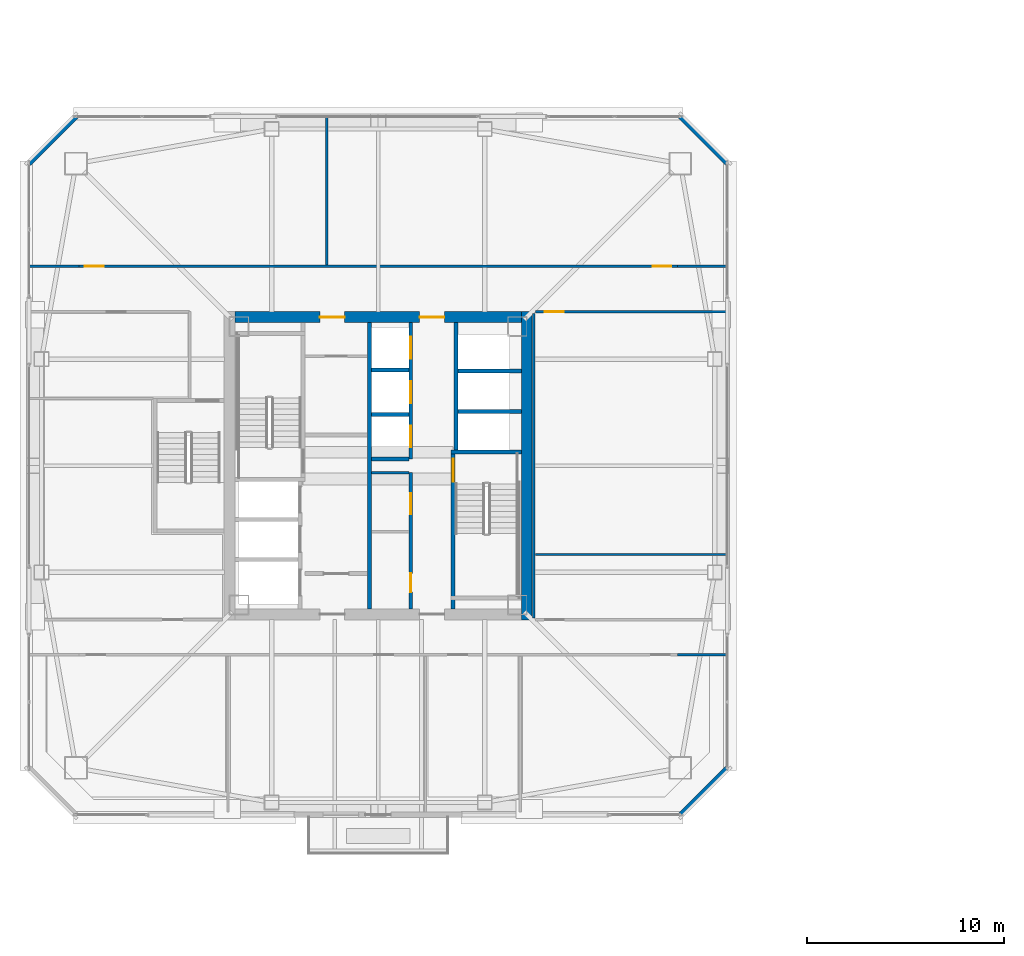
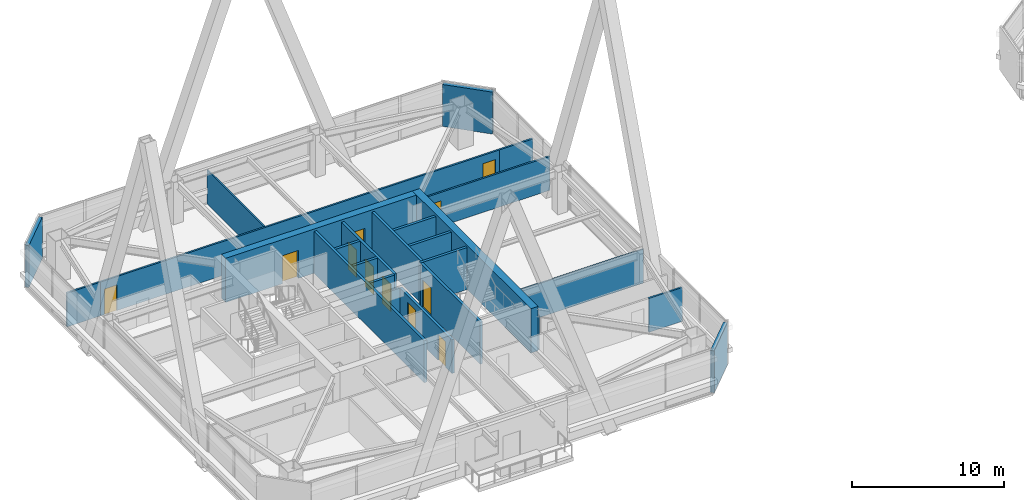
# One storey, part 46 of 55: 25 walls, 11 doors, 11 openings.
"""IFC4 building model written with IfcOpenShell, lengths in metres."""

from ifc_helpers import new_model, si_unit, direction, frame, frame_2d, origin, place, context, subcontext, project, spatial, rectangle, extrude, material, layer, layer_set, type_object, element, fill, save


model = new_model("IFC4")

# Units and contexts
model_context = context("Model", 3, precision=1e-05, world=origin(), true_north=direction((0.0, 1.0)))
body_context = subcontext(model_context, "Body", "Model", "MODEL_VIEW")
ifc_project = project(units=[si_unit("LENGTHUNIT", "METRE"), si_unit("AREAUNIT", "SQUARE_METRE"), si_unit("VOLUMEUNIT", "CUBIC_METRE"), si_unit("PLANEANGLEUNIT", "RADIAN"), si_unit("MASSUNIT", "GRAM", prefix="KILO")], contexts=[model_context])

# Site, building, storey
site_placement = place(None, origin())
site = spatial("IfcSite", under=ifc_project, at=site_placement, CompositionType="ELEMENT")
building_placement = place(site_placement, origin())
building = spatial("IfcBuilding", under=site, at=building_placement, Name="Tashvorn Skyway Center", CompositionType="ELEMENT")
storey_placement = place(building_placement, frame((0.0, 0.0, 178.300048828125)))
storey = spatial("IfcBuildingStorey", under=building, at=storey_placement, Name="L48", CompositionType="ELEMENT", Elevation=178.300048828125)

# Wall
ifc_material_1 = material(Name="Concrete C60/75", Category="concrete")
ifc_layer_1 = layer(ifc_material_1, 0.550048828125)
ifc_layer_set_1 = layer_set([ifc_layer_1], Name="Concrete C60/75")
wall_type_1 = type_object("IfcWallType", Name="WALL-CORE-550", PredefinedType="SHEAR", material=ifc_layer_set_1)
wall_1_placement = place(storey_placement, frame((49.52490234375, 39.800048828125, 0.0), z_axis=(0.0, 0.0, 1.0), x_axis=(0.0, -1.0, 0.0)))
element("IfcWall", 1, at=wall_1_placement, inside=storey, type_object=wall_type_1, Name="Tower 1 L48 East Core Shear Wall", PredefinedType="SHEAR", context=body_context, shape_type="SweptSolid", body=[
    extrude(rectangle(XDim=15.60009765625, YDim=0.550048828125, at=frame_2d((7.800048828125, 0.0))), origin(), (0.0, 0.0, 1.0), 3.550048828125),
])

# Wall, openings, doors
wall_2_placement = place(storey_placement, frame((34.75, 39.52490234375, 0.0), z_axis=(0.0, 0.0, 1.0), x_axis=(1.0, 0.0, 0.0)))
wall_2 = element("IfcWall", 2, at=wall_2_placement, inside=storey, type_object=wall_type_1, Name="Tower 1 L48 North Core Shear Wall", PredefinedType="SHEAR", context=body_context, shape_type="SweptSolid", body=[
    extrude(rectangle(XDim=14.5, YDim=0.550048828125, at=frame_2d((7.25, 0.0))), origin(), (0.0, 0.0, 1.0), 3.550048828125),
])
opening_1_placement = place(wall_2_placement, frame((4.300048828125, 0.0, 0.0)))
opening_1 = element("IfcOpeningElement", 3, at=opening_1_placement, cuts=wall_2, Name="Opening D-FFL-1250", PredefinedType="OPENING", context=body_context, shape_type="SweptSolid", body=[
    extrude(rectangle(XDim=1.25, YDim=2.25, at=frame_2d((0.625, 1.125))), frame((0.0, 0.284912109375, 0.0), z_axis=(0.0, -1.0, 0.0), x_axis=(1.0, 0.0, 0.0)), (0.0, 0.0, 1.0), 0.570068359375),
])
opening_2_placement = place(wall_2_placement, frame((9.35009765625, 0.0, 0.0)))
opening_2 = element("IfcOpeningElement", 4, at=opening_2_placement, cuts=wall_2, Name="Opening D-FFL-1250", PredefinedType="OPENING", context=body_context, shape_type="SweptSolid", body=[
    extrude(rectangle(XDim=1.25, YDim=2.25, at=frame_2d((0.625, 1.125))), frame((0.0, 0.284912109375, 0.0), z_axis=(0.0, -1.0, 0.0), x_axis=(1.0, 0.0, 0.0)), (0.0, 0.0, 1.0), 0.570068359375),
])
ifc_material_2 = material(Name="Hollow galvanized steel fire door assembly", Category="steel")
door_type_1 = type_object("IfcDoorType", Name="DOOR-FFL-1250", OperationType="NOTDEFINED", PredefinedType="DOOR", material=ifc_material_2)
door_1_placement = place(opening_1_placement, origin())
door_1 = element("IfcDoor", 5, at=door_1_placement, inside=storey, type_object=door_type_1, Name="Tower 1 L48 Core North Service Lobby Door", OperationType="SINGLE_SWING_LEFT", OverallHeight=2.25, OverallWidth=1.25, PredefinedType="DOOR", context=body_context, shape_type="SweptSolid", body=[
    extrude(rectangle(XDim=1.25, YDim=2.25, at=frame_2d((0.625, 1.125))), frame((0.0, 0.02490234375, 0.0), z_axis=(0.0, -1.0, 0.0), x_axis=(1.0, 0.0, 0.0)), (0.0, 0.0, 1.0), 0.050048828125),
])
fill(opening_1, door_1)
door_2_placement = place(opening_2_placement, origin())
door_2 = element("IfcDoor", 6, at=door_2_placement, inside=storey, type_object=door_type_1, Name="Tower 1 L48 Core North Lift Lobby Door", OperationType="SINGLE_SWING_RIGHT", OverallHeight=2.25, OverallWidth=1.25, PredefinedType="DOOR", context=body_context, shape_type="SweptSolid", body=[
    extrude(rectangle(XDim=1.25, YDim=2.25, at=frame_2d((0.625, 1.125))), frame((0.0, 0.02490234375, 0.0), z_axis=(0.0, -1.0, 0.0), x_axis=(1.0, 0.0, 0.0)), (0.0, 0.0, 1.0), 0.050048828125),
])
fill(opening_2, door_2)

# Walls
ifc_material_3 = material(Name="Precast concrete C40/50", Category="concrete")
ifc_layer_2 = layer(ifc_material_3, 0.280029296875)
ifc_layer_set_2 = layer_set([ifc_layer_2], Name="Precast concrete C40/50")
wall_type_2 = type_object("IfcWallType", Name="WALL-EXT-280", PredefinedType="SOLIDWALL", material=ifc_layer_set_2)
for number, where, z_axis, x_axis, name in (
    (7, (24.300048828125, 47.300048828125, 0.0), (0.0, 0.0, 1.0), (0.707106781187, 0.707106781187, 0.0), "Tower 1 L48 NW Precast Chamfer Wall"),
    (8, (57.300048828125, 49.699951171875, 0.0), (0.0, 0.0, 1.0), (0.707106781187, -0.707106781187, 0.0), "Tower 1 L48 NE Precast Chamfer Wall"),
    (9, (59.699951171875, 16.699951171875, 0.0), (0.0, 0.0, 1.0), (-0.707106781187, -0.707106781187, 0.0), "Tower 1 L48 SE Precast Chamfer Wall"),
):
    element("IfcWall", number, at=place(storey_placement, frame(where, z_axis=z_axis, x_axis=x_axis)), inside=storey, type_object=wall_type_2, Name=name, PredefinedType="SOLIDWALL", context=body_context, shape_type="SweptSolid", body=[
        extrude(rectangle(XDim=3.39404296875, YDim=0.280029296875, at=frame_2d((1.697021484375, 0.0))), origin(), (0.0, 0.0, 1.0), 3.369873046875),
    ])
ifc_material_4 = material(Name="Gypsum board on cold-formed steel stud framing", Category="steel")
ifc_layer_3 = layer(ifc_material_4, 0.110107421875)
ifc_layer_set_3 = layer_set([ifc_layer_3], Name="Gypsum board on cold-formed steel stud framing")
wall_type_3 = type_object("IfcWallType", Name="WALL-PART-110", PredefinedType="PARTITIONING", material=ifc_layer_set_3)
wall_3_placement = place(storey_placement, frame((39.39990234375, 42.179931640625, 0.0), z_axis=(0.0, 0.0, 1.0), x_axis=(0.0, 1.0, 0.0)))
element("IfcWall", 10, at=wall_3_placement, inside=storey, type_object=wall_type_3, Name="Tower 1 L48 North Suite Partition 1", PredefinedType="PARTITIONING", context=body_context, shape_type="SweptSolid", body=[
    extrude(rectangle(XDim=7.5, YDim=0.110107421875, at=frame_2d((3.75, 0.0))), origin(), (0.0, 0.0, 1.0), 2.722900390625),
])
wall_4_placement = place(storey_placement, frame((49.9599609375, 27.5, 0.0), z_axis=(0.0, 0.0, 1.0), x_axis=(1.0, 0.0, 0.0)))
element("IfcWall", 11, at=wall_4_placement, inside=storey, type_object=wall_type_3, Name="Tower 1 L48 East Mid Partition", PredefinedType="PARTITIONING", context=body_context, shape_type="SweptSolid", body=[
    extrude(rectangle(XDim=9.719970703125, YDim=0.110107421875, at=frame_2d((4.85986328125, 0.0))), origin(), (0.0, 0.0, 1.0), 2.722900390625),
])

# Wall, openings, doors
ifc_layer_4 = layer(ifc_material_4, 0.135009765625)
ifc_layer_set_4 = layer_set([ifc_layer_4], Name="Gypsum board on cold-formed steel stud framing")
wall_type_4 = type_object("IfcWallType", Name="WALL-PART-135", PredefinedType="PARTITIONING", material=ifc_layer_set_4)
wall_5_placement = place(storey_placement, frame((26.85009765625, 42.10009765625, 0.0), z_axis=(0.0, 0.0, 1.0), x_axis=(1.0, 0.0, 0.0)))
wall_5 = element("IfcWall", 12, at=wall_5_placement, inside=storey, type_object=wall_type_4, Name="Tower 1 L48 North Suite Wall", PredefinedType="PARTITIONING", context=body_context, shape_type="SweptSolid", body=[
    extrude(rectangle(XDim=30.2998046875, YDim=0.135009765625, at=frame_2d((15.14990234375, 0.0))), origin(), (0.0, 0.0, 1.0), 2.722900390625),
])
opening_3_placement = place(wall_5_placement, frame((0.300048828125, 0.0, 0.0)))
opening_3 = element("IfcOpeningElement", 13, at=opening_3_placement, cuts=wall_5, Name="Opening D-INT-950", PredefinedType="OPENING", context=body_context, shape_type="SweptSolid", body=[
    extrude(rectangle(XDim=0.949951171875, YDim=2.050048828125, at=frame_2d((0.47509765625, 1.02490234375))), frame((0.0, 0.077392578125, 0.0), z_axis=(0.0, -1.0, 0.0), x_axis=(1.0, 0.0, 0.0)), (0.0, 0.0, 1.0), 0.155029296875),
])
opening_4_placement = place(wall_5_placement, frame((29.050048828125, 0.0, 0.0)))
opening_4 = element("IfcOpeningElement", 14, at=opening_4_placement, cuts=wall_5, Name="Opening D-INT-950", PredefinedType="OPENING", context=body_context, shape_type="SweptSolid", body=[
    extrude(rectangle(XDim=0.949951171875, YDim=2.050048828125, at=frame_2d((0.47509765625, 1.02490234375))), frame((0.0, 0.077392578125, 0.0), z_axis=(0.0, -1.0, 0.0), x_axis=(1.0, 0.0, 0.0)), (0.0, 0.0, 1.0), 0.155029296875),
])
ifc_material_5 = material(Name="Solid-core architectural oak veneer door")
door_type_2 = type_object("IfcDoorType", Name="DOOR-INT-950", OperationType="NOTDEFINED", PredefinedType="DOOR", material=ifc_material_5)
door_3_placement = place(opening_3_placement, origin())
door_3 = element("IfcDoor", 15, at=door_3_placement, inside=storey, type_object=door_type_2, Name="Tower 1 L48 Open Plan Office Door", OperationType="SINGLE_SWING_LEFT", OverallHeight=2.050048828125, OverallWidth=0.949951171875, PredefinedType="DOOR", context=body_context, shape_type="SweptSolid", body=[
    extrude(rectangle(XDim=0.949951171875, YDim=2.050048828125, at=frame_2d((0.47509765625, 1.02490234375))), frame((0.0, 0.02490234375, 0.0), z_axis=(0.0, -1.0, 0.0), x_axis=(1.0, 0.0, 0.0)), (0.0, 0.0, 1.0), 0.050048828125),
])
fill(opening_3, door_3)
door_4_placement = place(opening_4_placement, origin())
door_4 = element("IfcDoor", 16, at=door_4_placement, inside=storey, type_object=door_type_2, Name="Tower 1 L48 Open Plan Office Door", OperationType="SINGLE_SWING_RIGHT", OverallHeight=2.050048828125, OverallWidth=0.949951171875, PredefinedType="DOOR", context=body_context, shape_type="SweptSolid", body=[
    extrude(rectangle(XDim=0.949951171875, YDim=2.050048828125, at=frame_2d((0.47509765625, 1.02490234375))), frame((0.0, 0.02490234375, 0.0), z_axis=(0.0, -1.0, 0.0), x_axis=(1.0, 0.0, 0.0)), (0.0, 0.0, 1.0), 0.050048828125),
])
fill(opening_4, door_4)

# Walls
for number, where, z_axis, x_axis, name in (
    (17, (24.320068359375, 42.10009765625, 0.0), (0.0, 0.0, 1.0), (1.0, 0.0, 0.0), "Tower 1 L48 North-West Suite South Wall"),
    (18, (57.14990234375, 42.10009765625, 0.0), (0.0, 0.0, 1.0), (1.0, 0.0, 0.0), "Tower 1 L48 North-East Suite South Wall"),
    (19, (57.14990234375, 22.429931640625, 0.0), (0.0, 0.0, 1.0), (1.0, 0.0, 0.0), "Tower 1 L48 South-East Suite North Wall"),
):
    element("IfcWall", number, at=place(storey_placement, frame(where, z_axis=z_axis, x_axis=x_axis)), inside=storey, type_object=wall_type_4, Name=name, PredefinedType="PARTITIONING", context=body_context, shape_type="SweptSolid", body=[
        extrude(rectangle(XDim=2.530029296875, YDim=0.135009765625, at=frame_2d((1.26513671875, 0.0))), origin(), (0.0, 0.0, 1.0), 2.722900390625),
    ])
wall_6_placement = place(storey_placement, frame((49.8798828125, 39.719970703125, 0.0), z_axis=(0.0, 0.0, 1.0), x_axis=(0.0, -1.0, 0.0)))
element("IfcWall", 20, at=wall_6_placement, inside=storey, type_object=wall_type_4, Name="Tower 1 L48 East Inner Suite Wall", PredefinedType="PARTITIONING", context=body_context, shape_type="SweptSolid", body=[
    extrude(rectangle(XDim=15.43994140625, YDim=0.135009765625, at=frame_2d((7.719970703125, 0.0))), origin(), (0.0, 0.0, 1.0), 2.722900390625),
])

# Wall, opening, door
wall_7_placement = place(storey_placement, frame((59.679931640625, 39.800048828125, 0.0), z_axis=(0.0, 0.0, 1.0), x_axis=(-1.0, 0.0, 0.0)))
wall_7 = element("IfcWall", 21, at=wall_7_placement, inside=storey, type_object=wall_type_4, Name="Tower 1 L48 East Suite North Wall", PredefinedType="PARTITIONING", context=body_context, shape_type="SweptSolid", body=[
    extrude(rectangle(XDim=9.719970703125, YDim=0.135009765625, at=frame_2d((4.85986328125, 0.0))), origin(), (0.0, 0.0, 1.0), 2.722900390625),
])
opening_5_placement = place(wall_7_placement, frame((8.280029296875, 0.0, 0.0)))
opening_5 = element("IfcOpeningElement", 22, at=opening_5_placement, cuts=wall_7, Name="Opening D-INT-950", PredefinedType="OPENING", context=body_context, shape_type="SweptSolid", body=[
    extrude(rectangle(XDim=0.949951171875, YDim=2.050048828125, at=frame_2d((0.47509765625, 1.02490234375))), frame((0.0, 0.077392578125, 0.0), z_axis=(0.0, -1.0, 0.0), x_axis=(1.0, 0.0, 0.0)), (0.0, 0.0, 1.0), 0.155029296875),
])
door_5_placement = place(opening_5_placement, origin())
door_5 = element("IfcDoor", 23, at=door_5_placement, inside=storey, type_object=door_type_2, Name="Tower 1 L48 Executive Study Lounge Door", OperationType="SINGLE_SWING_LEFT", OverallHeight=2.050048828125, OverallWidth=0.949951171875, PredefinedType="DOOR", context=body_context, shape_type="SweptSolid", body=[
    extrude(rectangle(XDim=0.949951171875, YDim=2.050048828125, at=frame_2d((0.47509765625, 1.02490234375))), frame((0.0, 0.02490234375, 0.0), z_axis=(0.0, -1.0, 0.0), x_axis=(1.0, 0.0, 0.0)), (0.0, 0.0, 1.0), 0.050048828125),
])
fill(opening_5, door_5)

# Walls
ifc_layer_5 = layer(ifc_material_4, 0.135009765625)
ifc_layer_set_5 = layer_set([ifc_layer_5], Name="Gypsum board on cold-formed steel stud framing")
wall_type_5 = type_object("IfcWallType", Name="WALL-RATED-135", PredefinedType="PARTITIONING", material=ifc_layer_set_5)
wall_8_placement = place(storey_placement, frame((41.669921875, 31.64990234375, 0.0), z_axis=(0.0, 0.0, 1.0), x_axis=(1.0, 0.0, 0.0)))
element("IfcWall", 24, at=wall_8_placement, inside=storey, type_object=wall_type_5, Name="Tower 1 L48 Core Room Partition", PredefinedType="PARTITIONING", context=body_context, shape_type="SweptSolid", body=[
    extrude(rectangle(XDim=1.880126953125, YDim=0.135009765625, at=frame_2d((0.93994140625, 0.0))), origin(), (0.0, 0.0, 1.0), 2.722900390625),
])
ifc_material_6 = material(Name="Concrete C40/50", Category="concrete")
ifc_layer_6 = layer(ifc_material_6, 0.199951171875)
ifc_layer_set_6 = layer_set([ifc_layer_6], Name="Concrete C40/50")
wall_type_6 = type_object("IfcWallType", Name="WALL-SHAFT-200", PredefinedType="SOLIDWALL", material=ifc_layer_set_6)
for number, where, z_axis, x_axis, name in (
    (25, (46.050048828125, 34.75, 0.0), (0.0, 0.0, 1.0), (1.0, 0.0, 0.0), "Tower 1 L48 High-Rise Shaft Divider"),
    (26, (46.050048828125, 36.800048828125, 0.0), (0.0, 0.0, 1.0), (1.0, 0.0, 0.0), "Tower 1 L48 High-Rise Shaft Divider"),
):
    element("IfcWall", number, at=place(storey_placement, frame(where, z_axis=z_axis, x_axis=x_axis)), inside=storey, type_object=wall_type_6, Name=name, PredefinedType="SOLIDWALL", context=body_context, shape_type="SweptSolid", body=[
        extrude(rectangle(XDim=3.199951171875, YDim=0.199951171875, at=frame_2d((1.60009765625, 0.0))), origin(), (0.0, 0.0, 1.0), 3.369873046875),
    ])

# Wall, openings, doors
wall_9_placement = place(storey_placement, frame((43.64990234375, 24.75, 0.0), z_axis=(0.0, 0.0, 1.0), x_axis=(0.0, 1.0, 0.0)))
wall_9 = element("IfcWall", 27, at=wall_9_placement, inside=storey, type_object=wall_type_6, Name="Tower 1 L48 Low-Rise Core Wall", PredefinedType="SOLIDWALL", context=body_context, shape_type="SweptSolid", body=[
    extrude(rectangle(XDim=6.89990234375, YDim=0.199951171875, at=frame_2d((3.449951171875, 0.0))), origin(), (0.0, 0.0, 1.0), 2.722900390625),
])
opening_6_placement = place(wall_9_placement, frame((0.85009765625, 0.0, 0.0)))
opening_6 = element("IfcOpeningElement", 28, at=opening_6_placement, cuts=wall_9, Name="Opening D-RT-950", PredefinedType="OPENING", context=body_context, shape_type="SweptSolid", body=[
    extrude(rectangle(XDim=0.949951171875, YDim=2.050048828125, at=frame_2d((0.47509765625, 1.02490234375))), frame((0.0, 0.10986328125, 0.0), z_axis=(0.0, -1.0, 0.0), x_axis=(1.0, 0.0, 0.0)), (0.0, 0.0, 1.0), 0.219970703125),
])
opening_7_placement = place(wall_9_placement, frame((4.800048828125, 0.0, 0.0)))
opening_7 = element("IfcOpeningElement", 29, at=opening_7_placement, cuts=wall_9, Name="Opening D-RT-1050", PredefinedType="OPENING", context=body_context, shape_type="SweptSolid", body=[
    extrude(rectangle(XDim=1.050048828125, YDim=2.199951171875, at=frame_2d((0.52490234375, 1.10009765625))), frame((0.0, 0.10986328125, 0.0), z_axis=(0.0, -1.0, 0.0), x_axis=(1.0, 0.0, 0.0)), (0.0, 0.0, 1.0), 0.219970703125),
])
door_type_3 = type_object("IfcDoorType", Name="DOOR-RATED-1050", OperationType="NOTDEFINED", PredefinedType="DOOR", material=ifc_material_2)
door_6_placement = place(opening_7_placement, origin())
door_6 = element("IfcDoor", 30, at=door_6_placement, inside=storey, type_object=door_type_3, Name="Tower 1 L48 Freed Core Room Door", OperationType="SINGLE_SWING_RIGHT", OverallHeight=2.199951171875, OverallWidth=1.050048828125, PredefinedType="DOOR", context=body_context, shape_type="SweptSolid", body=[
    extrude(rectangle(XDim=1.050048828125, YDim=2.199951171875, at=frame_2d((0.52490234375, 1.10009765625))), frame((0.0, 0.02490234375, 0.0), z_axis=(0.0, -1.0, 0.0), x_axis=(1.0, 0.0, 0.0)), (0.0, 0.0, 1.0), 0.050048828125),
])
fill(opening_7, door_6)
door_type_4 = type_object("IfcDoorType", Name="DOOR-RATED-950", OperationType="NOTDEFINED", PredefinedType="DOOR", material=ifc_material_2)
door_7_placement = place(opening_6_placement, origin())
door_7 = element("IfcDoor", 31, at=door_7_placement, inside=storey, type_object=door_type_4, Name="Tower 1 L48 Core Print Room Door", OperationType="SINGLE_SWING_LEFT", OverallHeight=2.050048828125, OverallWidth=0.949951171875, PredefinedType="DOOR", context=body_context, shape_type="SweptSolid", body=[
    extrude(rectangle(XDim=0.949951171875, YDim=2.050048828125, at=frame_2d((0.47509765625, 1.02490234375))), frame((0.0, 0.02490234375, 0.0), z_axis=(0.0, -1.0, 0.0), x_axis=(1.0, 0.0, 0.0)), (0.0, 0.0, 1.0), 0.050048828125),
])
fill(opening_6, door_7)

wall_10_placement = place(storey_placement, frame((43.64990234375, 32.35009765625, 0.0), z_axis=(0.0, 0.0, 1.0), x_axis=(0.0, 1.0, 0.0)))
wall_10 = element("IfcWall", 32, at=wall_10_placement, inside=storey, type_object=wall_type_6, Name="Tower 1 L48 Mid-Rise Core Wall", PredefinedType="SOLIDWALL", context=body_context, shape_type="SweptSolid", body=[
    extrude(rectangle(XDim=6.89990234375, YDim=0.199951171875, at=frame_2d((3.449951171875, 0.0))), origin(), (0.0, 0.0, 1.0), 3.369873046875),
])
opening_8_placement = place(wall_10_placement, frame((0.574951171875, 0.0, 0.0)))
opening_8 = element("IfcOpeningElement", 33, at=opening_8_placement, cuts=wall_10, Name="Opening LD-MR-T1-1-L48", PredefinedType="OPENING", context=body_context, shape_type="SweptSolid", body=[
    extrude(rectangle(XDim=1.10009765625, YDim=2.199951171875, at=frame_2d((0.550048828125, 1.10009765625))), frame((0.0, 0.10986328125, 0.0), z_axis=(0.0, -1.0, 0.0), x_axis=(1.0, 0.0, 0.0)), (0.0, 0.0, 1.0), 0.219970703125),
])
opening_9_placement = place(wall_10_placement, frame((2.824951171875, 0.0, 0.0)))
opening_9 = element("IfcOpeningElement", 34, at=opening_9_placement, cuts=wall_10, Name="Opening LD-MR-T1-2-L48", PredefinedType="OPENING", context=body_context, shape_type="SweptSolid", body=[
    extrude(rectangle(XDim=1.10009765625, YDim=2.199951171875, at=frame_2d((0.550048828125, 1.10009765625))), frame((0.0, 0.10986328125, 0.0), z_axis=(0.0, -1.0, 0.0), x_axis=(1.0, 0.0, 0.0)), (0.0, 0.0, 1.0), 0.219970703125),
])
opening_10_placement = place(wall_10_placement, frame((5.074951171875, 0.0, 0.0)))
opening_10 = element("IfcOpeningElement", 35, at=opening_10_placement, cuts=wall_10, Name="Opening LD-MR-T1-3-L48", PredefinedType="OPENING", context=body_context, shape_type="SweptSolid", body=[
    extrude(rectangle(XDim=1.10009765625, YDim=2.199951171875, at=frame_2d((0.550048828125, 1.10009765625))), frame((0.0, 0.10986328125, 0.0), z_axis=(0.0, -1.0, 0.0), x_axis=(1.0, 0.0, 0.0)), (0.0, 0.0, 1.0), 0.219970703125),
])
ifc_material_7 = material(Name="Stainless steel landing door", Category="steel")
door_type_5 = type_object("IfcDoorType", Name="DOOR-LIFT-1100", OperationType="SLIDING_TO_LEFT", PredefinedType="DOOR", material=ifc_material_7)
door_8_placement = place(opening_8_placement, origin())
door_8 = element("IfcDoor", 36, at=door_8_placement, inside=storey, type_object=door_type_5, Name="Lift MR-T1-1 L48 Landing Door", OperationType="SLIDING_TO_LEFT", OverallHeight=2.199951171875, OverallWidth=1.10009765625, PredefinedType="DOOR", context=body_context, shape_type="SweptSolid", body=[
    extrude(rectangle(XDim=1.10009765625, YDim=2.199951171875, at=frame_2d((0.550048828125, 1.10009765625))), frame((0.0, 0.02490234375, 0.0), z_axis=(0.0, -1.0, 0.0), x_axis=(1.0, 0.0, 0.0)), (0.0, 0.0, 1.0), 0.050048828125),
])
fill(opening_8, door_8)
door_9_placement = place(opening_9_placement, origin())
door_9 = element("IfcDoor", 37, at=door_9_placement, inside=storey, type_object=door_type_5, Name="Lift MR-T1-2 L48 Landing Door", OperationType="SLIDING_TO_LEFT", OverallHeight=2.199951171875, OverallWidth=1.10009765625, PredefinedType="DOOR", context=body_context, shape_type="SweptSolid", body=[
    extrude(rectangle(XDim=1.10009765625, YDim=2.199951171875, at=frame_2d((0.550048828125, 1.10009765625))), frame((0.0, 0.02490234375, 0.0), z_axis=(0.0, -1.0, 0.0), x_axis=(1.0, 0.0, 0.0)), (0.0, 0.0, 1.0), 0.050048828125),
])
fill(opening_9, door_9)
door_10_placement = place(opening_10_placement, origin())
door_10 = element("IfcDoor", 38, at=door_10_placement, inside=storey, type_object=door_type_5, Name="Lift MR-T1-3 L48 Landing Door", OperationType="SLIDING_TO_LEFT", OverallHeight=2.199951171875, OverallWidth=1.10009765625, PredefinedType="DOOR", context=body_context, shape_type="SweptSolid", body=[
    extrude(rectangle(XDim=1.10009765625, YDim=2.199951171875, at=frame_2d((0.550048828125, 1.10009765625))), frame((0.0, 0.02490234375, 0.0), z_axis=(0.0, -1.0, 0.0), x_axis=(1.0, 0.0, 0.0)), (0.0, 0.0, 1.0), 0.050048828125),
])
fill(opening_10, door_10)

# Walls
for number, where, z_axis, x_axis, name in (
    (39, (41.669921875, 32.35009765625, 0.0), (0.0, 0.0, 1.0), (1.0, 0.0, 0.0), "Tower 1 L48 Mid-Rise Shaft Divider"),
    (40, (41.669921875, 34.60009765625, 0.0), (0.0, 0.0, 1.0), (1.0, 0.0, 0.0), "Tower 1 L48 Mid-Rise Shaft Divider"),
    (41, (41.669921875, 36.85009765625, 0.0), (0.0, 0.0, 1.0), (1.0, 0.0, 0.0), "Tower 1 L48 Mid-Rise Shaft Divider"),
):
    element("IfcWall", number, at=place(storey_placement, frame(where, z_axis=z_axis, x_axis=x_axis)), inside=storey, type_object=wall_type_6, Name=name, PredefinedType="SOLIDWALL", context=body_context, shape_type="SweptSolid", body=[
        extrude(rectangle(XDim=1.880126953125, YDim=0.199951171875, at=frame_2d((0.93994140625, 0.0))), origin(), (0.0, 0.0, 1.0), 3.369873046875),
    ])

# Wall, opening, door
ifc_layer_7 = layer(ifc_material_6, 0.199951171875)
ifc_layer_set_7 = layer_set([ifc_layer_7], Name="Concrete C40/50")
wall_type_7 = type_object("IfcWallType", Name="WALL-STSHF-200", PredefinedType="SHEAR", material=ifc_layer_set_7)
wall_11_placement = place(storey_placement, frame((45.800048828125, 32.800048828125, 0.0), z_axis=(0.0, 0.0, 1.0), x_axis=(0.0, -1.0, 0.0)))
wall_11 = element("IfcWall", 42, at=wall_11_placement, inside=storey, type_object=wall_type_7, Name="Tower 1 L48 Stair 2 Enclosure Wall", PredefinedType="SHEAR", context=body_context, shape_type="SweptSolid", body=[
    extrude(rectangle(XDim=8.050048828125, YDim=0.199951171875, at=frame_2d((4.02490234375, 0.0))), origin(), (0.0, 0.0, 1.0), 3.369873046875),
])
opening_11_placement = place(wall_11_placement, frame((0.449951171875, 0.0, 0.0)))
opening_11 = element("IfcOpeningElement", 43, at=opening_11_placement, cuts=wall_11, Name="Opening D-ST-1150", PredefinedType="OPENING", context=body_context, shape_type="SweptSolid", body=[
    extrude(rectangle(XDim=1.14990234375, YDim=2.199951171875, at=frame_2d((0.574951171875, 1.10009765625))), frame((0.0, 0.10986328125, 0.0), z_axis=(0.0, -1.0, 0.0), x_axis=(1.0, 0.0, 0.0)), (0.0, 0.0, 1.0), 0.219970703125),
])
door_type_6 = type_object("IfcDoorType", Name="DOOR-STAIR-1150", OperationType="NOTDEFINED", PredefinedType="DOOR", material=ifc_material_2)
door_11_placement = place(opening_11_placement, origin())
door_11 = element("IfcDoor", 44, at=door_11_placement, inside=storey, type_object=door_type_6, Name="Tower 1 L48 Exit Stair 2 Door", OperationType="SINGLE_SWING_RIGHT", OverallHeight=2.199951171875, OverallWidth=1.14990234375, PredefinedType="DOOR", context=body_context, shape_type="SweptSolid", body=[
    extrude(rectangle(XDim=1.14990234375, YDim=2.199951171875, at=frame_2d((0.574951171875, 1.10009765625))), frame((0.0, 0.02490234375, 0.0), z_axis=(0.0, -1.0, 0.0), x_axis=(1.0, 0.0, 0.0)), (0.0, 0.0, 1.0), 0.050048828125),
])
fill(opening_11, door_11)

# Walls
wall_12_placement = place(storey_placement, frame((45.699951171875, 32.699951171875, 0.0), z_axis=(0.0, 0.0, 1.0), x_axis=(1.0, 0.0, 0.0)))
element("IfcWall", 45, at=wall_12_placement, inside=storey, type_object=wall_type_7, Name="Tower 1 L48 Stair 2 North Wall", PredefinedType="SHEAR", context=body_context, shape_type="SweptSolid", body=[
    extrude(rectangle(XDim=3.550048828125, YDim=0.199951171875, at=frame_2d((1.77490234375, 0.0))), origin(), (0.0, 0.0, 1.0), 3.369873046875),
])
wall_13_placement = place(storey_placement, frame((41.56005859375, 24.75, 0.0), z_axis=(0.0, 0.0, 1.0), x_axis=(0.0, 1.0, 0.0)))
element("IfcWall", 46, at=wall_13_placement, inside=storey, type_object=wall_type_7, Name="Tower 1 L48 Firefighting Lobby East Smoke Barrier", PredefinedType="SHEAR", context=body_context, shape_type="SweptSolid", body=[
    extrude(rectangle(XDim=14.5, YDim=0.199951171875, at=frame_2d((7.25, 0.0))), origin(), (0.0, 0.0, 1.0), 3.369873046875),
])
wall_14_placement = place(storey_placement, frame((45.949951171875, 39.25, 0.0), z_axis=(0.0, 0.0, 1.0), x_axis=(0.0, -1.0, 0.0)))
element("IfcWall", 47, at=wall_14_placement, inside=storey, type_object=wall_type_7, Name="Tower 1 L48 High-Rise Lift Shaft Front Wall", PredefinedType="SHEAR", context=body_context, shape_type="SweptSolid", body=[
    extrude(rectangle(XDim=6.449951171875, YDim=0.199951171875, at=frame_2d((3.22509765625, 0.0))), origin(), (0.0, 0.0, 1.0), 3.369873046875),
])

save(model, "model.ifc")
